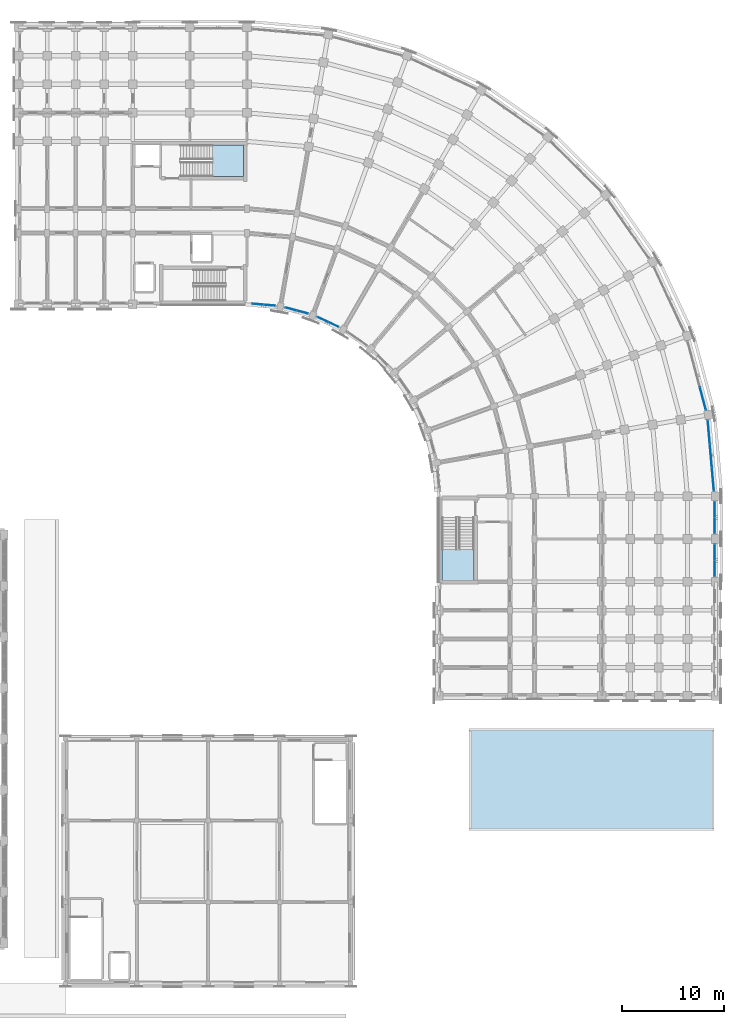
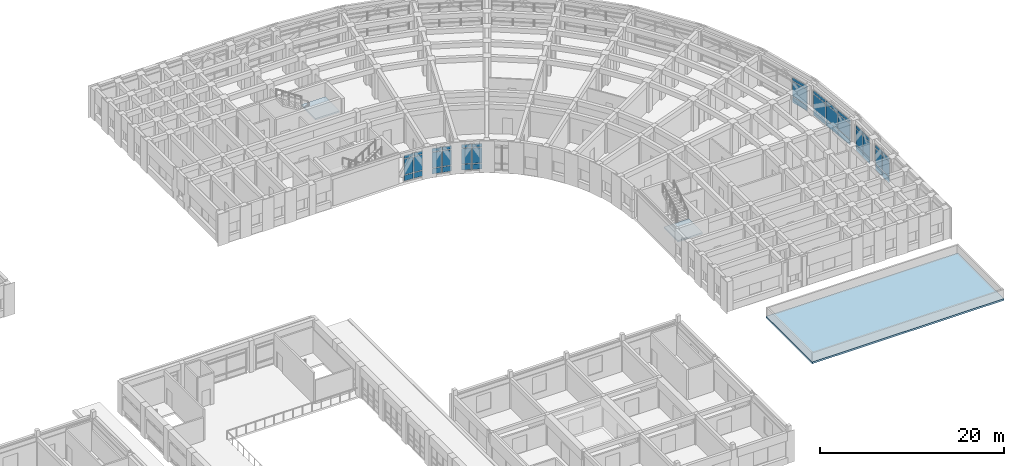
# One storey, part 52 of 97: 42 plates, 3 slabs, 9 elements without a shape of their own.
"""IFC4 building model written with IfcOpenShell, lengths in metres."""

from ifc_helpers import new_model, si_unit, direction, frame, origin, origin_2d, place, context, subcontext, project, spatial, polyline, rectangle, outline, extrude, material, layer, layer_set, type_object, element, aggregate, save


model = new_model("IFC4")

# Units and contexts
model_context = context("Model", 3, precision=1e-05, world=origin(), true_north=direction((0.0, 1.0)))
body_context = subcontext(model_context, "Body", "Model", "MODEL_VIEW")
ifc_project = project(units=[si_unit("LENGTHUNIT", "METRE"), si_unit("AREAUNIT", "SQUARE_METRE"), si_unit("VOLUMEUNIT", "CUBIC_METRE"), si_unit("PLANEANGLEUNIT", "RADIAN"), si_unit("MASSUNIT", "GRAM", prefix="KILO")], contexts=[model_context])

# Site, building, storey
site_placement = place(None, origin())
site = spatial("IfcSite", under=ifc_project, at=site_placement, CompositionType="ELEMENT")
building_placement = place(site_placement, origin())
building = spatial("IfcBuilding", under=site, at=building_placement, Name="Kiranvali Square Residences", CompositionType="ELEMENT")
storey_placement = place(building_placement, frame((0.0, 0.0, 4.5)))
storey = spatial("IfcBuildingStorey", under=building, at=storey_placement, Name="L01", CompositionType="ELEMENT", Elevation=4.5)

# Curtain wall, plates
ifc_material_1 = material(Name="Anodised bronze aluminium framing", Category="aluminium")
curtain_wall_type = type_object("IfcCurtainWallType", Name="CW-RET-SHOP", PredefinedType="USERDEFINED", material=ifc_material_1)
curtain_wall_1_placement = place(storey_placement, origin())
curtain_wall_1 = element("IfcCurtainWall", 1, at=curtain_wall_1_placement, inside=storey, type_object=curtain_wall_type, Name="Block B L01 rounded-corner arcade curtain wall 8", ObjectType="CURTAIN WALL", PredefinedType="USERDEFINED")
ifc_material_2 = material(Name="Solar-control low-e double glazing", Category="glass")
ifc_layer_1 = layer(ifc_material_2, 0.028076171875)
ifc_layer_set_1 = layer_set([ifc_layer_1], Name="Solar-control low-e double glazing")
plate_type_1 = type_object("IfcPlateType", Name="PLT-CW-GLZ", PredefinedType="CURTAIN_PANEL", material=ifc_layer_set_1)
plate_1_placement = place(storey_placement, frame((164.51904296875, 97.381103515625, 0.889892578125), z_axis=(0.0, 0.0, 1.0), x_axis=(0.258819045103, -0.965925826289, 0.0)))
plate_1 = element("IfcPlate", 2, at=plate_1_placement, type_object=plate_type_1, Name="CW-B-L01-CRV-07 glazed panel 3.2", PredefinedType="CURTAIN_PANEL", context=body_context, shape_type="SweptSolid", body=[
    extrude(rectangle(XDim=2.239501953125, YDim=0.028076171875, at=origin_2d()), origin(), (0.0, 0.0, 1.0), 2.0),
])
plate_2_placement = place(storey_placement, frame((164.51904296875, 97.381103515625, 2.97021484375), z_axis=(0.0, 0.0, 1.0), x_axis=(0.258819045103, -0.965925826289, 0.0)))
plate_2 = element("IfcPlate", 3, at=plate_2_placement, type_object=plate_type_1, Name="CW-B-L01-CRV-07 glazed panel 3.3", PredefinedType="CURTAIN_PANEL", context=body_context, shape_type="SweptSolid", body=[
    extrude(rectangle(XDim=2.239501953125, YDim=0.028076171875, at=origin_2d()), origin(), (0.0, 0.0, 1.0), 0.429931640625),
])

curtain_wall_2_placement = place(storey_placement, origin())
curtain_wall_2 = element("IfcCurtainWall", 4, at=curtain_wall_2_placement, inside=storey, type_object=curtain_wall_type, Name="Block B L01 rounded-corner arcade curtain wall 9", ObjectType="CURTAIN WALL", PredefinedType="USERDEFINED")
plate_3_placement = place(storey_placement, frame((165.09912109375, 94.091552734375, 0.889892578125), z_axis=(0.0, 0.0, 1.0), x_axis=(0.087155742748, -0.996194698092, 0.0)))
plate_3 = element("IfcPlate", 5, at=plate_3_placement, type_object=plate_type_1, Name="CW-B-L01-CRV-08 glazed panel 1.2", PredefinedType="CURTAIN_PANEL", context=body_context, shape_type="SweptSolid", body=[
    extrude(rectangle(XDim=2.239501953125, YDim=0.028076171875, at=origin_2d()), origin(), (0.0, 0.0, 1.0), 2.0),
])
plate_4_placement = place(storey_placement, frame((165.09912109375, 94.091552734375, 2.97021484375), z_axis=(0.0, 0.0, 1.0), x_axis=(0.087155742748, -0.996194698092, 0.0)))
plate_4 = element("IfcPlate", 6, at=plate_4_placement, type_object=plate_type_1, Name="CW-B-L01-CRV-08 glazed panel 1.3", PredefinedType="CURTAIN_PANEL", context=body_context, shape_type="SweptSolid", body=[
    extrude(rectangle(XDim=2.239501953125, YDim=0.028076171875, at=origin_2d()), origin(), (0.0, 0.0, 1.0), 0.429931640625),
])
plate_5_placement = place(storey_placement, frame((165.30126953125, 91.78076171875, 0.889892578125), z_axis=(0.0, 0.0, 1.0), x_axis=(0.087155742748, -0.996194698092, 0.0)))
plate_5 = element("IfcPlate", 7, at=plate_5_placement, type_object=plate_type_1, Name="CW-B-L01-CRV-08 glazed panel 2.2", PredefinedType="CURTAIN_PANEL", context=body_context, shape_type="SweptSolid", body=[
    extrude(rectangle(XDim=2.239501953125, YDim=0.028076171875, at=origin_2d()), origin(), (0.0, 0.0, 1.0), 2.0),
])
plate_6_placement = place(storey_placement, frame((165.30126953125, 91.78076171875, 2.97021484375), z_axis=(0.0, 0.0, 1.0), x_axis=(0.087155742748, -0.996194698092, 0.0)))
plate_6 = element("IfcPlate", 8, at=plate_6_placement, type_object=plate_type_1, Name="CW-B-L01-CRV-08 glazed panel 2.3", PredefinedType="CURTAIN_PANEL", context=body_context, shape_type="SweptSolid", body=[
    extrude(rectangle(XDim=2.239501953125, YDim=0.028076171875, at=origin_2d()), origin(), (0.0, 0.0, 1.0), 0.429931640625),
])
plate_7_placement = place(storey_placement, frame((165.50341796875, 89.47021484375, 0.889892578125), z_axis=(0.0, 0.0, 1.0), x_axis=(0.087155742748, -0.996194698092, 0.0)))
plate_7 = element("IfcPlate", 9, at=plate_7_placement, type_object=plate_type_1, Name="CW-B-L01-CRV-08 glazed panel 3.2", PredefinedType="CURTAIN_PANEL", context=body_context, shape_type="SweptSolid", body=[
    extrude(rectangle(XDim=2.239501953125, YDim=0.028076171875, at=origin_2d()), origin(), (0.0, 0.0, 1.0), 2.0),
])
plate_8_placement = place(storey_placement, frame((165.50341796875, 89.47021484375, 2.97021484375), z_axis=(0.0, 0.0, 1.0), x_axis=(0.087155742748, -0.996194698092, 0.0)))
plate_8 = element("IfcPlate", 10, at=plate_8_placement, type_object=plate_type_1, Name="CW-B-L01-CRV-08 glazed panel 3.3", PredefinedType="CURTAIN_PANEL", context=body_context, shape_type="SweptSolid", body=[
    extrude(rectangle(XDim=2.239501953125, YDim=0.028076171875, at=origin_2d()), origin(), (0.0, 0.0, 1.0), 0.429931640625),
])

curtain_wall_3_placement = place(storey_placement, origin())
curtain_wall_3 = element("IfcCurtainWall", 11, at=curtain_wall_3_placement, inside=storey, type_object=curtain_wall_type, Name="Block B L01 garden foyer curtain wall 1", ObjectType="CURTAIN WALL", PredefinedType="USERDEFINED")
plate_9_placement = place(storey_placement, frame((120.875732421875, 106.62646484375, 0.89013671875), z_axis=(0.0, 0.0, 1.0), x_axis=(0.996194698092, -0.087155742748, 0.0)))
plate_9 = element("IfcPlate", 12, at=plate_9_placement, type_object=plate_type_1, Name="CW-B-L01-GDN-00 glazed panel 1.2", PredefinedType="CURTAIN_PANEL", context=body_context, shape_type="SweptSolid", body=[
    extrude(rectangle(XDim=1.05859375, YDim=0.028076171875, at=origin_2d()), origin(), (0.0, 0.0, 1.0), 2.050048828125),
])
plate_10_placement = place(storey_placement, frame((120.875732421875, 106.62646484375, 3.02001953125), z_axis=(0.0, 0.0, 1.0), x_axis=(0.996194698092, -0.087155742748, 0.0)))
plate_10 = element("IfcPlate", 13, at=plate_10_placement, type_object=plate_type_1, Name="CW-B-L01-GDN-00 glazed panel 1.3", PredefinedType="CURTAIN_PANEL", context=body_context, shape_type="SweptSolid", body=[
    extrude(rectangle(XDim=1.05859375, YDim=0.028076171875, at=origin_2d()), origin(), (0.0, 0.0, 1.0), 0.429931640625),
])
plate_11_placement = place(storey_placement, frame((122.009765625, 106.527099609375, 0.89013671875), z_axis=(0.0, 0.0, 1.0), x_axis=(0.996194698092, -0.087155742748, 0.0)))
plate_11 = element("IfcPlate", 14, at=plate_11_placement, type_object=plate_type_1, Name="CW-B-L01-GDN-00 glazed panel 2.2", PredefinedType="CURTAIN_PANEL", context=body_context, shape_type="SweptSolid", body=[
    extrude(rectangle(XDim=1.05859375, YDim=0.028076171875, at=origin_2d()), origin(), (0.0, 0.0, 1.0), 2.050048828125),
])
plate_12_placement = place(storey_placement, frame((122.009765625, 106.527099609375, 3.02001953125), z_axis=(0.0, 0.0, 1.0), x_axis=(0.996194698092, -0.087155742748, 0.0)))
plate_12 = element("IfcPlate", 15, at=plate_12_placement, type_object=plate_type_1, Name="CW-B-L01-GDN-00 glazed panel 2.3", PredefinedType="CURTAIN_PANEL", context=body_context, shape_type="SweptSolid", body=[
    extrude(rectangle(XDim=1.05859375, YDim=0.028076171875, at=origin_2d()), origin(), (0.0, 0.0, 1.0), 0.429931640625),
])

curtain_wall_4_placement = place(storey_placement, origin())
curtain_wall_4 = element("IfcCurtainWall", 16, at=curtain_wall_4_placement, inside=storey, type_object=curtain_wall_type, Name="Block B L01 garden foyer curtain wall 2", ObjectType="CURTAIN WALL", PredefinedType="USERDEFINED")
plate_13_placement = place(storey_placement, frame((124.12841796875, 106.153564453125, 0.89013671875), z_axis=(0.0, 0.0, 1.0), x_axis=(0.965925826289, -0.258819045103, 0.0)))
plate_13 = element("IfcPlate", 17, at=plate_13_placement, type_object=plate_type_1, Name="CW-B-L01-GDN-01 glazed panel 1.2", PredefinedType="CURTAIN_PANEL", context=body_context, shape_type="SweptSolid", body=[
    extrude(rectangle(XDim=1.05859375, YDim=0.028076171875, at=origin_2d()), origin(), (0.0, 0.0, 1.0), 2.050048828125),
])
plate_14_placement = place(storey_placement, frame((124.12841796875, 106.153564453125, 3.02001953125), z_axis=(0.0, 0.0, 1.0), x_axis=(0.965925826289, -0.258819045103, 0.0)))
plate_14 = element("IfcPlate", 18, at=plate_14_placement, type_object=plate_type_1, Name="CW-B-L01-GDN-01 glazed panel 1.3", PredefinedType="CURTAIN_PANEL", context=body_context, shape_type="SweptSolid", body=[
    extrude(rectangle(XDim=1.05859375, YDim=0.028076171875, at=origin_2d()), origin(), (0.0, 0.0, 1.0), 0.429931640625),
])
plate_15_placement = place(storey_placement, frame((125.228271484375, 105.85888671875, 0.89013671875), z_axis=(0.0, 0.0, 1.0), x_axis=(0.965925826289, -0.258819045103, 0.0)))
plate_15 = element("IfcPlate", 19, at=plate_15_placement, type_object=plate_type_1, Name="CW-B-L01-GDN-01 glazed panel 2.2", PredefinedType="CURTAIN_PANEL", context=body_context, shape_type="SweptSolid", body=[
    extrude(rectangle(XDim=1.05859375, YDim=0.028076171875, at=origin_2d()), origin(), (0.0, 0.0, 1.0), 2.050048828125),
])
plate_16_placement = place(storey_placement, frame((125.228271484375, 105.85888671875, 3.02001953125), z_axis=(0.0, 0.0, 1.0), x_axis=(0.965925826289, -0.258819045103, 0.0)))
plate_16 = element("IfcPlate", 20, at=plate_16_placement, type_object=plate_type_1, Name="CW-B-L01-GDN-01 glazed panel 2.3", PredefinedType="CURTAIN_PANEL", context=body_context, shape_type="SweptSolid", body=[
    extrude(rectangle(XDim=1.05859375, YDim=0.028076171875, at=origin_2d()), origin(), (0.0, 0.0, 1.0), 0.429931640625),
])

curtain_wall_5_placement = place(storey_placement, origin())
curtain_wall_5 = element("IfcCurtainWall", 21, at=curtain_wall_5_placement, inside=storey, type_object=curtain_wall_type, Name="Block B L01 garden foyer curtain wall 3", ObjectType="CURTAIN WALL", PredefinedType="USERDEFINED")
plate_17_placement = place(storey_placement, frame((127.249755859375, 105.123046875, 0.89013671875), z_axis=(0.0, 0.0, 1.0), x_axis=(0.906307787037, -0.422618261741, 0.0)))
plate_17 = element("IfcPlate", 22, at=plate_17_placement, type_object=plate_type_1, Name="CW-B-L01-GDN-02 glazed panel 1.2", PredefinedType="CURTAIN_PANEL", context=body_context, shape_type="SweptSolid", body=[
    extrude(rectangle(XDim=1.05859375, YDim=0.028076171875, at=origin_2d()), origin(), (0.0, 0.0, 1.0), 2.050048828125),
])
plate_18_placement = place(storey_placement, frame((127.249755859375, 105.123046875, 3.02001953125), z_axis=(0.0, 0.0, 1.0), x_axis=(0.906307787037, -0.422618261741, 0.0)))
plate_18 = element("IfcPlate", 23, at=plate_18_placement, type_object=plate_type_1, Name="CW-B-L01-GDN-02 glazed panel 1.3", PredefinedType="CURTAIN_PANEL", context=body_context, shape_type="SweptSolid", body=[
    extrude(rectangle(XDim=1.05859375, YDim=0.028076171875, at=origin_2d()), origin(), (0.0, 0.0, 1.0), 0.429931640625),
])
plate_19_placement = place(storey_placement, frame((128.28173828125, 104.641845703125, 0.89013671875), z_axis=(0.0, 0.0, 1.0), x_axis=(0.906307787037, -0.422618261741, 0.0)))
plate_19 = element("IfcPlate", 24, at=plate_19_placement, type_object=plate_type_1, Name="CW-B-L01-GDN-02 glazed panel 2.2", PredefinedType="CURTAIN_PANEL", context=body_context, shape_type="SweptSolid", body=[
    extrude(rectangle(XDim=1.05859375, YDim=0.028076171875, at=origin_2d()), origin(), (0.0, 0.0, 1.0), 2.050048828125),
])
plate_20_placement = place(storey_placement, frame((128.28173828125, 104.641845703125, 3.02001953125), z_axis=(0.0, 0.0, 1.0), x_axis=(0.906307787037, -0.422618261741, 0.0)))
plate_20 = element("IfcPlate", 25, at=plate_20_placement, type_object=plate_type_1, Name="CW-B-L01-GDN-02 glazed panel 2.3", PredefinedType="CURTAIN_PANEL", context=body_context, shape_type="SweptSolid", body=[
    extrude(rectangle(XDim=1.05859375, YDim=0.028076171875, at=origin_2d()), origin(), (0.0, 0.0, 1.0), 0.429931640625),
])

curtain_wall_6_placement = place(storey_placement, origin())
curtain_wall_6 = element("IfcCurtainWall", 26, at=curtain_wall_6_placement, inside=storey, type_object=curtain_wall_type, Name="L01 curtain wall CW-B-L01-A2-0", ObjectType="CURTAIN WALL", PredefinedType="USERDEFINED")
plate_21_placement = place(storey_placement, frame((165.679931640625, 86.485107421875, 0.889892578125), z_axis=(0.0, 0.0, 1.0), x_axis=(0.0, -1.0, 0.0)))
plate_21 = element("IfcPlate", 27, at=plate_21_placement, type_object=plate_type_1, Name="CW-B-L01-A2-0 glazed panel 1.2", PredefinedType="CURTAIN_PANEL", context=body_context, shape_type="SweptSolid", body=[
    extrude(rectangle(XDim=1.489990234375, YDim=0.028076171875, at=origin_2d()), origin(), (0.0, 0.0, 1.0), 2.0),
])
plate_22_placement = place(storey_placement, frame((165.679931640625, 86.485107421875, 2.97021484375), z_axis=(0.0, 0.0, 1.0), x_axis=(0.0, -1.0, 0.0)))
plate_22 = element("IfcPlate", 28, at=plate_22_placement, type_object=plate_type_1, Name="CW-B-L01-A2-0 glazed panel 1.3", PredefinedType="CURTAIN_PANEL", context=body_context, shape_type="SweptSolid", body=[
    extrude(rectangle(XDim=1.489990234375, YDim=0.028076171875, at=origin_2d()), origin(), (0.0, 0.0, 1.0), 0.429931640625),
])
plate_23_placement = place(storey_placement, frame((165.679931640625, 84.9150390625, 0.889892578125), z_axis=(0.0, 0.0, 1.0), x_axis=(0.0, -1.0, 0.0)))
plate_23 = element("IfcPlate", 29, at=plate_23_placement, type_object=plate_type_1, Name="CW-B-L01-A2-0 glazed panel 2.2", PredefinedType="CURTAIN_PANEL", context=body_context, shape_type="SweptSolid", body=[
    extrude(rectangle(XDim=1.489990234375, YDim=0.028076171875, at=origin_2d()), origin(), (0.0, 0.0, 1.0), 2.0),
])
plate_24_placement = place(storey_placement, frame((165.679931640625, 84.9150390625, 2.97021484375), z_axis=(0.0, 0.0, 1.0), x_axis=(0.0, -1.0, 0.0)))
plate_24 = element("IfcPlate", 30, at=plate_24_placement, type_object=plate_type_1, Name="CW-B-L01-A2-0 glazed panel 2.3", PredefinedType="CURTAIN_PANEL", context=body_context, shape_type="SweptSolid", body=[
    extrude(rectangle(XDim=1.489990234375, YDim=0.028076171875, at=origin_2d()), origin(), (0.0, 0.0, 1.0), 0.429931640625),
])

curtain_wall_7_placement = place(storey_placement, origin())
curtain_wall_7 = element("IfcCurtainWall", 31, at=curtain_wall_7_placement, inside=storey, type_object=curtain_wall_type, Name="L01 curtain wall CW-B-L01-A2-1", ObjectType="CURTAIN WALL", PredefinedType="USERDEFINED")
plate_25_placement = place(storey_placement, frame((165.679931640625, 82.284912109375, 0.889892578125), z_axis=(0.0, 0.0, 1.0), x_axis=(0.0, -1.0, 0.0)))
plate_25 = element("IfcPlate", 32, at=plate_25_placement, type_object=plate_type_1, Name="CW-B-L01-A2-1 glazed panel 1.2", PredefinedType="CURTAIN_PANEL", context=body_context, shape_type="SweptSolid", body=[
    extrude(rectangle(XDim=1.489990234375, YDim=0.028076171875, at=origin_2d()), origin(), (0.0, 0.0, 1.0), 2.0),
])
plate_26_placement = place(storey_placement, frame((165.679931640625, 82.284912109375, 2.97021484375), z_axis=(0.0, 0.0, 1.0), x_axis=(0.0, -1.0, 0.0)))
plate_26 = element("IfcPlate", 33, at=plate_26_placement, type_object=plate_type_1, Name="CW-B-L01-A2-1 glazed panel 1.3", PredefinedType="CURTAIN_PANEL", context=body_context, shape_type="SweptSolid", body=[
    extrude(rectangle(XDim=1.489990234375, YDim=0.028076171875, at=origin_2d()), origin(), (0.0, 0.0, 1.0), 0.429931640625),
])
plate_27_placement = place(storey_placement, frame((165.679931640625, 80.715087890625, 0.889892578125), z_axis=(0.0, 0.0, 1.0), x_axis=(0.0, -1.0, 0.0)))
plate_27 = element("IfcPlate", 34, at=plate_27_placement, type_object=plate_type_1, Name="CW-B-L01-A2-1 glazed panel 2.2", PredefinedType="CURTAIN_PANEL", context=body_context, shape_type="SweptSolid", body=[
    extrude(rectangle(XDim=1.489990234375, YDim=0.028076171875, at=origin_2d()), origin(), (0.0, 0.0, 1.0), 2.0),
])
plate_28_placement = place(storey_placement, frame((165.679931640625, 80.715087890625, 2.97021484375), z_axis=(0.0, 0.0, 1.0), x_axis=(0.0, -1.0, 0.0)))
plate_28 = element("IfcPlate", 35, at=plate_28_placement, type_object=plate_type_1, Name="CW-B-L01-A2-1 glazed panel 2.3", PredefinedType="CURTAIN_PANEL", context=body_context, shape_type="SweptSolid", body=[
    extrude(rectangle(XDim=1.489990234375, YDim=0.028076171875, at=origin_2d()), origin(), (0.0, 0.0, 1.0), 0.429931640625),
])

# Plate
ifc_material_3 = material(Name="Honed Porbandar limestone ashlar facade cladding", Category="masonry")
ifc_layer_2 = layer(ifc_material_3, 0.02392578125)
ifc_layer_set_2 = layer_set([ifc_layer_2], Name="Honed Porbandar limestone ashlar facade cladding")
plate_type_2 = type_object("IfcPlateType", Name="PLT-CW-SPN", PredefinedType="SHEET", material=ifc_layer_set_2)
plate_29_placement = place(storey_placement, frame((164.51904296875, 97.381103515625, 0.080078125), z_axis=(0.0, 0.0, 1.0), x_axis=(0.258819045103, -0.965925826289, 0.0)))
plate_29 = element("IfcPlate", 36, at=plate_29_placement, type_object=plate_type_2, Name="CW-B-L01-CRV-07 spandrel panel 3.1", PredefinedType="SHEET", context=body_context, shape_type="SweptSolid", body=[
    extrude(rectangle(XDim=2.239501953125, YDim=0.02392578125, at=origin_2d()), origin(), (0.0, 0.0, 1.0), 0.72998046875),
])

aggregate(curtain_wall_1, [plate_29, plate_1, plate_2])

plate_30_placement = place(storey_placement, frame((165.09912109375, 94.091552734375, 0.080078125), z_axis=(0.0, 0.0, 1.0), x_axis=(0.087155742748, -0.996194698092, 0.0)))
plate_30 = element("IfcPlate", 37, at=plate_30_placement, type_object=plate_type_2, Name="CW-B-L01-CRV-08 spandrel panel 1.1", PredefinedType="SHEET", context=body_context, shape_type="SweptSolid", body=[
    extrude(rectangle(XDim=2.239501953125, YDim=0.02392578125, at=origin_2d()), origin(), (0.0, 0.0, 1.0), 0.72998046875),
])

plate_31_placement = place(storey_placement, frame((165.30126953125, 91.78076171875, 0.080078125), z_axis=(0.0, 0.0, 1.0), x_axis=(0.087155742748, -0.996194698092, 0.0)))
plate_31 = element("IfcPlate", 38, at=plate_31_placement, type_object=plate_type_2, Name="CW-B-L01-CRV-08 spandrel panel 2.1", PredefinedType="SHEET", context=body_context, shape_type="SweptSolid", body=[
    extrude(rectangle(XDim=2.239501953125, YDim=0.02392578125, at=origin_2d()), origin(), (0.0, 0.0, 1.0), 0.72998046875),
])

plate_32_placement = place(storey_placement, frame((165.50341796875, 89.47021484375, 0.080078125), z_axis=(0.0, 0.0, 1.0), x_axis=(0.087155742748, -0.996194698092, 0.0)))
plate_32 = element("IfcPlate", 39, at=plate_32_placement, type_object=plate_type_2, Name="CW-B-L01-CRV-08 spandrel panel 3.1", PredefinedType="SHEET", context=body_context, shape_type="SweptSolid", body=[
    extrude(rectangle(XDim=2.239501953125, YDim=0.02392578125, at=origin_2d()), origin(), (0.0, 0.0, 1.0), 0.72998046875),
])

aggregate(curtain_wall_2, [plate_30, plate_3, plate_4, plate_31, plate_5, plate_6, plate_32, plate_7, plate_8])

plate_33_placement = place(storey_placement, frame((120.875732421875, 106.62646484375, 0.080078125), z_axis=(0.0, 0.0, 1.0), x_axis=(0.996194698092, -0.087155742748, 0.0)))
plate_33 = element("IfcPlate", 40, at=plate_33_placement, type_object=plate_type_2, Name="CW-B-L01-GDN-00 spandrel panel 1.1", PredefinedType="SHEET", context=body_context, shape_type="SweptSolid", body=[
    extrude(rectangle(XDim=1.05859375, YDim=0.02392578125, at=origin_2d()), origin(), (0.0, 0.0, 1.0), 0.72998046875),
])

plate_34_placement = place(storey_placement, frame((122.009765625, 106.527099609375, 0.080078125), z_axis=(0.0, 0.0, 1.0), x_axis=(0.996194698092, -0.087155742748, 0.0)))
plate_34 = element("IfcPlate", 41, at=plate_34_placement, type_object=plate_type_2, Name="CW-B-L01-GDN-00 spandrel panel 2.1", PredefinedType="SHEET", context=body_context, shape_type="SweptSolid", body=[
    extrude(rectangle(XDim=1.05859375, YDim=0.02392578125, at=origin_2d()), origin(), (0.0, 0.0, 1.0), 0.72998046875),
])

aggregate(curtain_wall_3, [plate_33, plate_9, plate_10, plate_34, plate_11, plate_12])

plate_35_placement = place(storey_placement, frame((124.12841796875, 106.153564453125, 0.080078125), z_axis=(0.0, 0.0, 1.0), x_axis=(0.965925826289, -0.258819045103, 0.0)))
plate_35 = element("IfcPlate", 42, at=plate_35_placement, type_object=plate_type_2, Name="CW-B-L01-GDN-01 spandrel panel 1.1", PredefinedType="SHEET", context=body_context, shape_type="SweptSolid", body=[
    extrude(rectangle(XDim=1.05859375, YDim=0.02392578125, at=origin_2d()), origin(), (0.0, 0.0, 1.0), 0.72998046875),
])

plate_36_placement = place(storey_placement, frame((125.228271484375, 105.85888671875, 0.080078125), z_axis=(0.0, 0.0, 1.0), x_axis=(0.965925826289, -0.258819045103, 0.0)))
plate_36 = element("IfcPlate", 43, at=plate_36_placement, type_object=plate_type_2, Name="CW-B-L01-GDN-01 spandrel panel 2.1", PredefinedType="SHEET", context=body_context, shape_type="SweptSolid", body=[
    extrude(rectangle(XDim=1.05859375, YDim=0.02392578125, at=origin_2d()), origin(), (0.0, 0.0, 1.0), 0.72998046875),
])

aggregate(curtain_wall_4, [plate_35, plate_13, plate_14, plate_36, plate_15, plate_16])

plate_37_placement = place(storey_placement, frame((127.249755859375, 105.123046875, 0.080078125), z_axis=(0.0, 0.0, 1.0), x_axis=(0.906307787037, -0.422618261741, 0.0)))
plate_37 = element("IfcPlate", 44, at=plate_37_placement, type_object=plate_type_2, Name="CW-B-L01-GDN-02 spandrel panel 1.1", PredefinedType="SHEET", context=body_context, shape_type="SweptSolid", body=[
    extrude(rectangle(XDim=1.05859375, YDim=0.02392578125, at=origin_2d()), origin(), (0.0, 0.0, 1.0), 0.72998046875),
])

plate_38_placement = place(storey_placement, frame((128.28173828125, 104.641845703125, 0.080078125), z_axis=(0.0, 0.0, 1.0), x_axis=(0.906307787037, -0.422618261741, 0.0)))
plate_38 = element("IfcPlate", 45, at=plate_38_placement, type_object=plate_type_2, Name="CW-B-L01-GDN-02 spandrel panel 2.1", PredefinedType="SHEET", context=body_context, shape_type="SweptSolid", body=[
    extrude(rectangle(XDim=1.05859375, YDim=0.02392578125, at=origin_2d()), origin(), (0.0, 0.0, 1.0), 0.72998046875),
])

aggregate(curtain_wall_5, [plate_37, plate_17, plate_18, plate_38, plate_19, plate_20])

plate_39_placement = place(storey_placement, frame((165.679931640625, 86.485107421875, 0.080078125), z_axis=(0.0, 0.0, 1.0), x_axis=(0.0, -1.0, 0.0)))
plate_39 = element("IfcPlate", 46, at=plate_39_placement, type_object=plate_type_2, Name="CW-B-L01-A2-0 spandrel panel 1.1", PredefinedType="SHEET", context=body_context, shape_type="SweptSolid", body=[
    extrude(rectangle(XDim=1.489990234375, YDim=0.02392578125, at=origin_2d()), origin(), (0.0, 0.0, 1.0), 0.72998046875),
])

plate_40_placement = place(storey_placement, frame((165.679931640625, 84.9150390625, 0.080078125), z_axis=(0.0, 0.0, 1.0), x_axis=(0.0, -1.0, 0.0)))
plate_40 = element("IfcPlate", 47, at=plate_40_placement, type_object=plate_type_2, Name="CW-B-L01-A2-0 spandrel panel 2.1", PredefinedType="SHEET", context=body_context, shape_type="SweptSolid", body=[
    extrude(rectangle(XDim=1.489990234375, YDim=0.02392578125, at=origin_2d()), origin(), (0.0, 0.0, 1.0), 0.72998046875),
])

aggregate(curtain_wall_6, [plate_39, plate_21, plate_22, plate_40, plate_23, plate_24])

plate_41_placement = place(storey_placement, frame((165.679931640625, 82.284912109375, 0.080078125), z_axis=(0.0, 0.0, 1.0), x_axis=(0.0, -1.0, 0.0)))
plate_41 = element("IfcPlate", 48, at=plate_41_placement, type_object=plate_type_2, Name="CW-B-L01-A2-1 spandrel panel 1.1", PredefinedType="SHEET", context=body_context, shape_type="SweptSolid", body=[
    extrude(rectangle(XDim=1.489990234375, YDim=0.02392578125, at=origin_2d()), origin(), (0.0, 0.0, 1.0), 0.72998046875),
])

plate_42_placement = place(storey_placement, frame((165.679931640625, 80.715087890625, 0.080078125), z_axis=(0.0, 0.0, 1.0), x_axis=(0.0, -1.0, 0.0)))
plate_42 = element("IfcPlate", 49, at=plate_42_placement, type_object=plate_type_2, Name="CW-B-L01-A2-1 spandrel panel 2.1", PredefinedType="SHEET", context=body_context, shape_type="SweptSolid", body=[
    extrude(rectangle(XDim=1.489990234375, YDim=0.02392578125, at=origin_2d()), origin(), (0.0, 0.0, 1.0), 0.72998046875),
])

aggregate(curtain_wall_7, [plate_41, plate_25, plate_26, plate_42, plate_27, plate_28])

# Stair, slab
ifc_material_4 = material(Name="Concrete M35 (35 MPa)", Category="concrete")
stair_type = type_object("IfcStairType", Name="ST-CORE-1700", PredefinedType="HALF_TURN_STAIR", material=ifc_material_4)
stair_1_placement = place(storey_placement, origin())
stair_1 = element("IfcStair", 50, at=stair_1_placement, inside=storey, type_object=stair_type, Name="L01 Block B Firefighting Exit Stair 1", PredefinedType="HALF_TURN_STAIR")
ifc_layer_3 = layer(ifc_material_4, 0.199951171875)
ifc_layer_set_3 = layer_set([ifc_layer_3], Name="Concrete M35 (35 MPa)")
slab_type_1 = type_object("IfcSlabType", Name="SLB-LND-200", PredefinedType="LANDING", material=ifc_layer_set_3)
slab_1_placement = place(storey_placement, frame((0.0, 0.0, 1.89990234375)))
slab_1 = element("IfcSlab", 51, at=slab_1_placement, type_object=slab_type_1, Name="ST-B1 landing 1", PredefinedType="LANDING", context=body_context, shape_type="SweptSolid", body=[
    extrude(outline(polyline([(116.43505859375, 119.14990234375), (119.449951171875, 119.14990234375), (119.449951171875, 122.25), (116.43505859375, 122.25), (116.43505859375, 119.14990234375)])), origin(), (0.0, 0.0, 1.0), 0.2001953125),
])
aggregate(stair_1, [slab_1])

stair_2_placement = place(storey_placement, origin())
stair_2 = element("IfcStair", 52, at=stair_2_placement, inside=storey, type_object=stair_type, Name="L01 Block B Wing Protected Exit Stair 3", PredefinedType="HALF_TURN_STAIR")
slab_2_placement = place(storey_placement, frame((0.0, 0.0, 1.89990234375)))
slab_2 = element("IfcSlab", 53, at=slab_2_placement, type_object=slab_type_1, Name="ST-B3 landing 1", PredefinedType="LANDING", context=body_context, shape_type="SweptSolid", body=[
    extrude(outline(polyline([(138.949951171875, 82.56494140625), (138.949951171875, 79.550048828125), (142.050048828125, 79.550048828125), (142.050048828125, 82.56494140625), (138.949951171875, 82.56494140625)])), origin(), (0.0, 0.0, 1.0), 0.2001953125),
])
aggregate(stair_2, [slab_2])

# Slab
ifc_material_5 = material(Name="Concrete M40 (40 MPa)", Category="concrete")
ifc_layer_4 = layer(ifc_material_5, 0.239990234375)
ifc_layer_set_4 = layer_set([ifc_layer_4], Name="Concrete M40 (40 MPa)")
slab_type_2 = type_object("IfcSlabType", Name="SLB-ROOF-240", PredefinedType="ROOF", material=ifc_layer_set_4)
slab_3_placement = place(storey_placement, frame((0.0, 0.0, -0.239990234375)))
element("IfcSlab", 54, at=slab_3_placement, inside=storey, type_object=slab_type_2, Name="East Street Arcade Portal roof slab", PredefinedType="ROOF", context=body_context, shape_type="SweptSolid", body=[
    extrude(outline(polyline([(141.60009765625, 55.0), (165.60009765625, 55.0), (165.60009765625, 65.0), (141.60009765625, 65.0), (141.60009765625, 55.0)])), origin(), (0.0, 0.0, 1.0), 0.239990234375),
])

save(model, "model.ifc")
